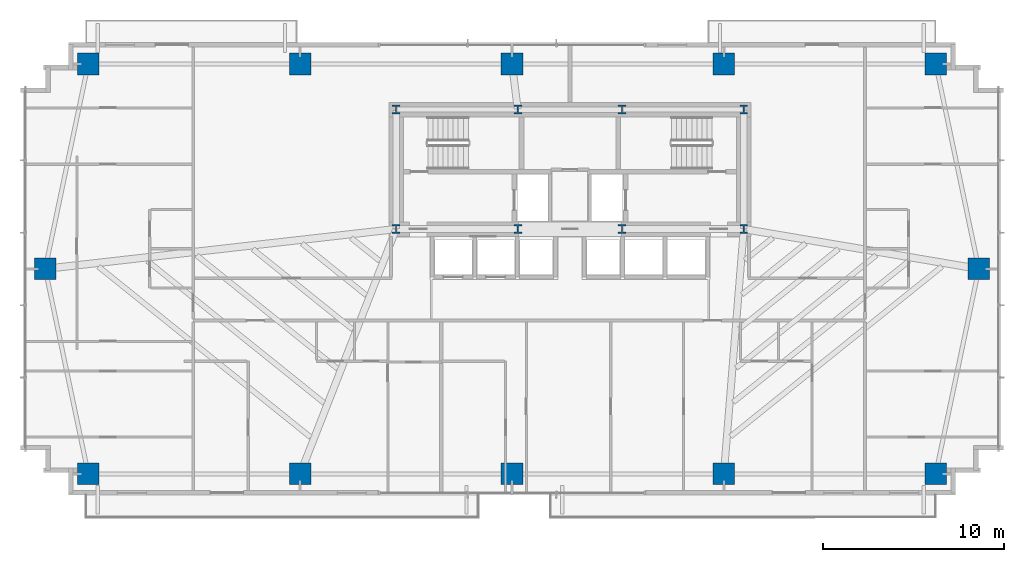
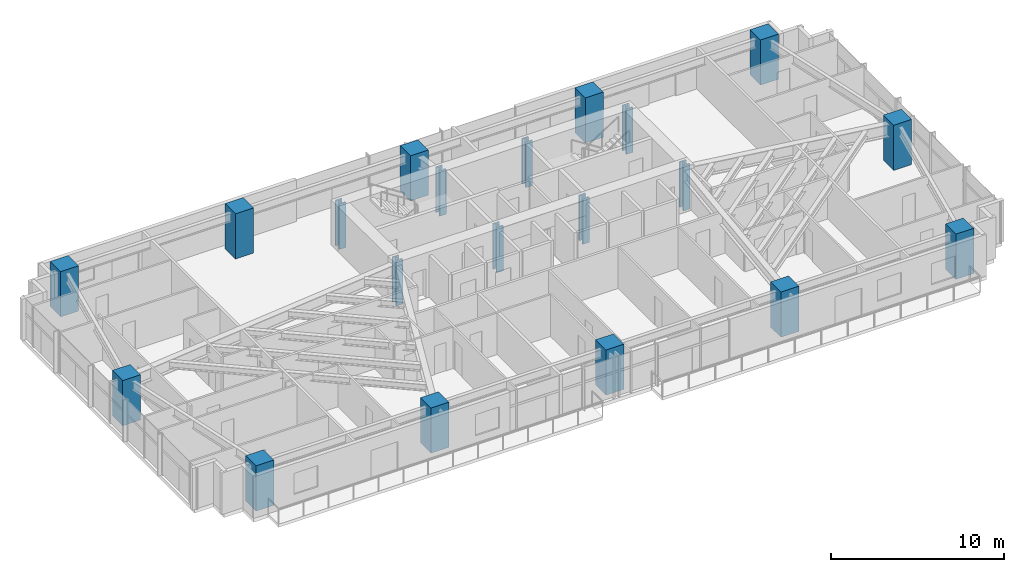
# One storey, part 1 of 25: 20 columns.
"""IFC4 building model written with IfcOpenShell, lengths in metres."""

from ifc_helpers import new_model, si_unit, direction, frame, origin, origin_2d, place, context, subcontext, project, spatial, rectangle, i_section, extrude, source, transform, mapped, material, material_profile, profile_set, type_object, type_shapes, element, save


model = new_model("IFC4")

# Units and contexts
model_context = context("Model", 3, precision=1e-05, world=origin(), true_north=direction((0.0, 1.0)))
body_context = subcontext(model_context, "Body", "Model", "MODEL_VIEW")
ifc_project = project(units=[si_unit("LENGTHUNIT", "METRE"), si_unit("AREAUNIT", "SQUARE_METRE"), si_unit("VOLUMEUNIT", "CUBIC_METRE"), si_unit("PLANEANGLEUNIT", "RADIAN"), si_unit("MASSUNIT", "GRAM", prefix="KILO")], contexts=[model_context])

# Site, building, storey
site_placement = place(None, origin())
site = spatial("IfcSite", under=ifc_project, at=site_placement, CompositionType="ELEMENT")
building_placement = place(site_placement, origin())
building = spatial("IfcBuilding", under=site, at=building_placement, Name="Astriad Promenade Condominiums", CompositionType="ELEMENT")
storey_placement = place(building_placement, frame((0.0, 0.0, 26.199951171875)))
storey = spatial("IfcBuildingStorey", under=building, at=storey_placement, Name="L06", CompositionType="ELEMENT", Elevation=26.199951171875)

# Columns
ifc_material_1 = material(Name="Steel ASTM A992 Grade 50", Category="steel")
ifc_material_profile_1 = material_profile(ifc_material_1, i_section(OverallWidth=0.43701171875, OverallDepth=0.51416015625, WebThickness=0.060546875, FlangeThickness=0.096923828125, FilletRadius=0.017822265625, at=origin_2d()), Name="W14X550")
ifc_profile_set_1 = profile_set([ifc_material_profile_1], Name="Steel ASTM A992 Grade 50")
column_type_1 = type_object("IfcColumnType", Name="STEEL CORE PILASTER W14X550", PredefinedType="PILASTER", material=ifc_profile_set_1)
shared_shape_1 = source(origin(), body_context, "Body", "SweptSolid", [
    extrude(i_section(OverallWidth=0.43701171875, OverallDepth=0.51416015625, WebThickness=0.060546875, FlangeThickness=0.096923828125, FilletRadius=0.017822265625, at=origin_2d()), origin(), (0.0, 0.0, 1.0), 3.196044921875),
])
type_shapes(column_type_1, [shared_shape_1])
for number, where, z_axis, x_axis, name in (
    (1, (26.39990234375, 17.39990234375, 0.001953125), (0.0, 0.0, 1.0), (1.0, 0.0, 0.0), "Core Pilaster Column CP1 (L06)"),
    (2, (33.1201171875, 17.39990234375, 0.001953125), (0.0, 0.0, 1.0), (1.0, 0.0, 0.0), "Core Pilaster Column CP2 (L06)"),
    (3, (38.8798828125, 17.39990234375, 0.001953125), (0.0, 0.0, 1.0), (1.0, 0.0, 0.0), "Core Pilaster Column CP3 (L06)"),
    (4, (45.60009765625, 17.39990234375, 0.001953125), (0.0, 0.0, 1.0), (1.0, 0.0, 0.0), "Core Pilaster Column CP4 (L06)"),
    (5, (26.39990234375, 24.0, 0.001953125), (0.0, 0.0, 1.0), (1.0, 0.0, 0.0), "Core Pilaster Column CP5 (L06)"),
    (6, (33.1201171875, 24.0, 0.001953125), (0.0, 0.0, 1.0), (1.0, 0.0, 0.0), "Core Pilaster Column CP6 (L06)"),
    (7, (38.8798828125, 24.0, 0.001953125), (0.0, 0.0, 1.0), (1.0, 0.0, 0.0), "Core Pilaster Column CP7 (L06)"),
    (8, (45.60009765625, 24.0, 0.001953125), (0.0, 0.0, 1.0), (1.0, 0.0, 0.0), "Core Pilaster Column CP8 (L06)"),
):
    element("IfcColumn", number, at=place(storey_placement, frame(where, z_axis=z_axis, x_axis=x_axis)), inside=storey, type_object=column_type_1, Name=name, PredefinedType="PILASTER", context=body_context, shape_type="MappedRepresentation", body=[
        mapped(shared_shape_1, transform((0.0, 0.0, 0.0), scale=1.0)),
    ])
ifc_material_2 = material(Name="Concrete C80/95", Category="concrete")
ifc_material_profile_2 = material_profile(ifc_material_2, rectangle(XDim=1.199951171875, YDim=1.199951171875, at=origin_2d()), Name="RC-COL-1200X1200")
ifc_profile_set_2 = profile_set([ifc_material_profile_2], Name="Concrete C80/95")
column_type_2 = type_object("IfcColumnType", Name="CONCRETE MEGA COLUMN 1200X1200", PredefinedType="COLUMN", material=ifc_profile_set_2)
shared_shape_2 = source(origin(), body_context, "Body", "SweptSolid", [
    extrude(rectangle(XDim=1.199951171875, YDim=1.199951171875, at=origin_2d()), origin(), (0.0, 0.0, 1.0), 3.196044921875),
])
type_shapes(column_type_2, [shared_shape_2])
for number, where, z_axis, x_axis, name in (
    (9, (9.39990234375, 3.8798828125, 0.001953125), (0.0, 0.0, 1.0), (1.0, 0.0, 0.0), "Perimeter Column PC01 (L06)"),
    (10, (21.10009765625, 3.8798828125, 0.001953125), (0.0, 0.0, 1.0), (1.0, 0.0, 0.0), "Perimeter Column PC02 (L06)"),
    (11, (32.800048828125, 3.8798828125, 0.001953125), (0.0, 0.0, 1.0), (1.0, 0.0, 0.0), "Perimeter Column PC03 (L06)"),
    (12, (44.5, 3.8798828125, 0.001953125), (0.0, 0.0, 1.0), (1.0, 0.0, 0.0), "Perimeter Column PC04 (L06)"),
    (13, (56.199951171875, 3.8798828125, 0.001953125), (0.0, 0.0, 1.0), (1.0, 0.0, 0.0), "Perimeter Column PC05 (L06)"),
    (14, (9.39990234375, 26.52001953125, 0.001953125), (0.0, 0.0, 1.0), (1.0, 0.0, 0.0), "Perimeter Column PC06 (L06)"),
    (15, (21.10009765625, 26.52001953125, 0.001953125), (0.0, 0.0, 1.0), (1.0, 0.0, 0.0), "Perimeter Column PC07 (L06)"),
    (16, (32.800048828125, 26.52001953125, 0.001953125), (0.0, 0.0, 1.0), (1.0, 0.0, 0.0), "Perimeter Column PC08 (L06)"),
    (17, (44.5, 26.52001953125, 0.001953125), (0.0, 0.0, 1.0), (1.0, 0.0, 0.0), "Perimeter Column PC09 (L06)"),
    (18, (56.199951171875, 26.52001953125, 0.001953125), (0.0, 0.0, 1.0), (1.0, 0.0, 0.0), "Perimeter Column PC10 (L06)"),
    (19, (7.02001953125, 15.199951171875, 0.001953125), (0.0, 0.0, 1.0), (1.0, 0.0, 0.0), "Perimeter Column PC11 (L06)"),
    (20, (58.580078125, 15.199951171875, 0.001953125), (0.0, 0.0, 1.0), (1.0, 0.0, 0.0), "Perimeter Column PC12 (L06)"),
):
    element("IfcColumn", number, at=place(storey_placement, frame(where, z_axis=z_axis, x_axis=x_axis)), inside=storey, type_object=column_type_2, Name=name, PredefinedType="COLUMN", context=body_context, shape_type="MappedRepresentation", body=[
        mapped(shared_shape_2, transform((0.0, 0.0, 0.0), scale=1.0)),
    ])

save(model, "model.ifc")
